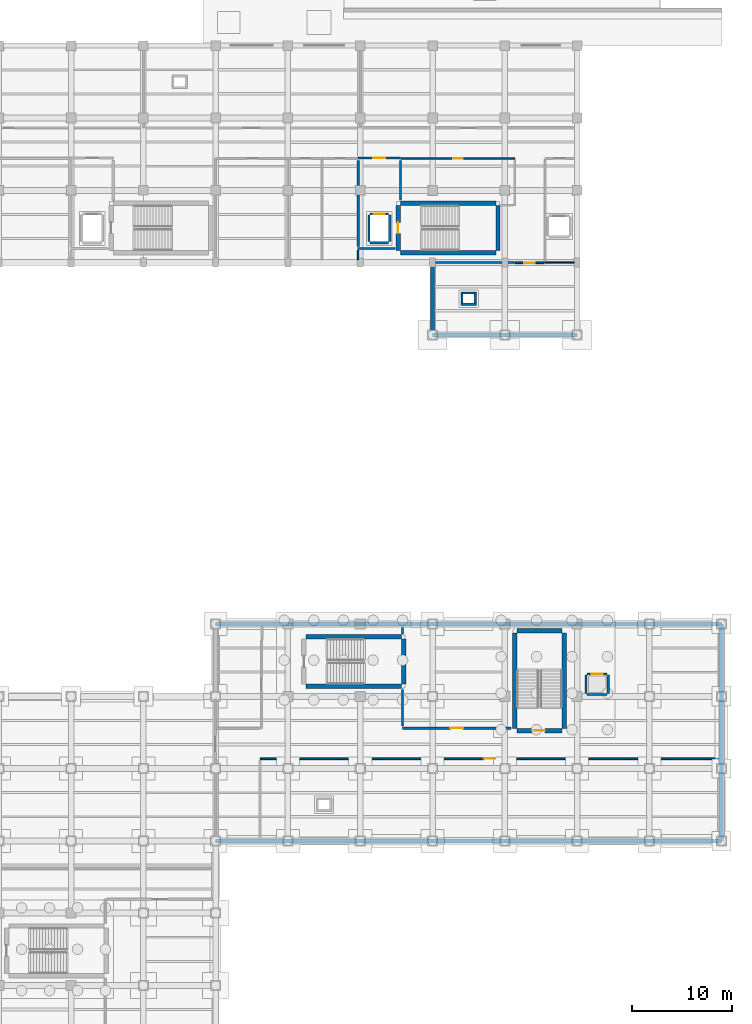
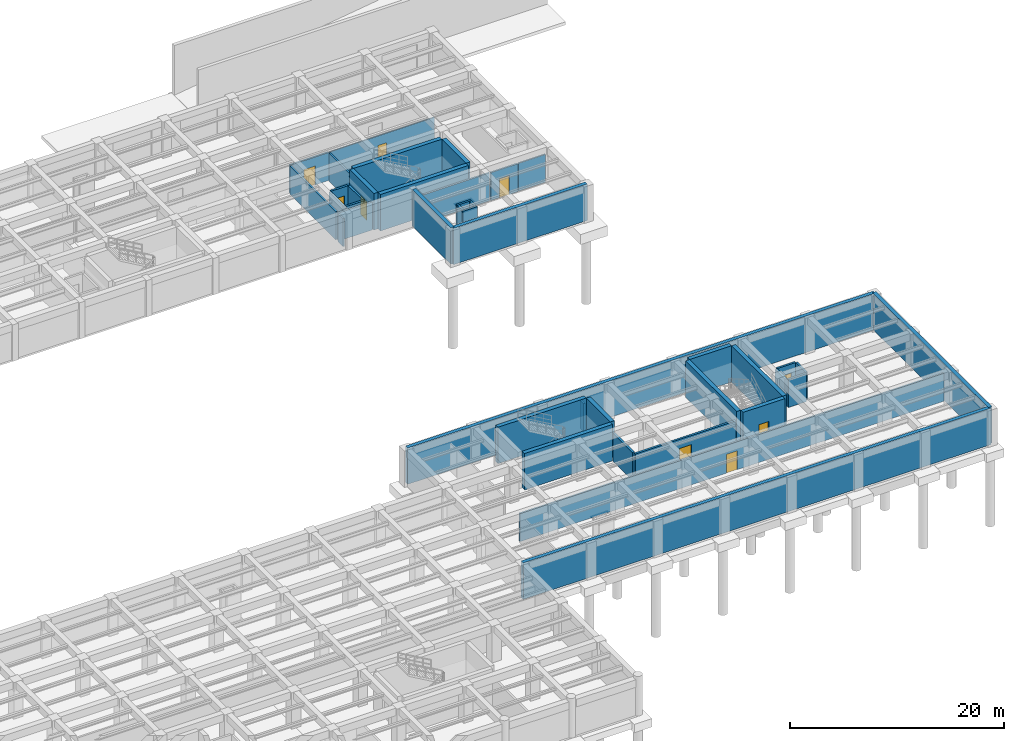
# One storey, part 21 of 34: 41 walls, 9 doors, 9 openings.
"""IFC4 building model written with IfcOpenShell, lengths in metres."""

from ifc_helpers import new_model, si_unit, direction, frame, frame_2d, origin, place, context, subcontext, project, spatial, rectangle, extrude, material, layer, layer_set, type_object, element, fill, save


model = new_model("IFC4")

# Units and contexts
model_context = context("Model", 3, precision=1e-05, world=origin(), true_north=direction((0.0, 1.0)))
body_context = subcontext(model_context, "Body", "Model", "MODEL_VIEW")
ifc_project = project(units=[si_unit("LENGTHUNIT", "METRE"), si_unit("AREAUNIT", "SQUARE_METRE"), si_unit("VOLUMEUNIT", "CUBIC_METRE"), si_unit("PLANEANGLEUNIT", "RADIAN"), si_unit("MASSUNIT", "GRAM", prefix="KILO")], contexts=[model_context])

# Site, building, storey
site_placement = place(None, origin())
site = spatial("IfcSite", under=ifc_project, at=site_placement, CompositionType="ELEMENT")
building_placement = place(site_placement, origin())
building = spatial("IfcBuilding", under=site, at=building_placement, Name="Solenvale Faculty of Natural Sciences", CompositionType="ELEMENT")
storey_placement = place(building_placement, frame((0.0, 0.0, -4.5)))
storey = spatial("IfcBuildingStorey", under=building, at=storey_placement, Name="B01", CompositionType="ELEMENT", Elevation=-4.5)

# Wall, opening, door
ifc_material_1 = material(Name="Gypsum fire-rated shaftwall")
ifc_layer_1 = layer(ifc_material_1, 0.205078125)
ifc_layer_set_1 = layer_set([ifc_layer_1], Name="Gypsum fire-rated shaftwall")
wall_type_1 = type_object("IfcWallType", Name="WL-FFL-205", PredefinedType="PARTITIONING", material=ifc_layer_set_1)
wall_1_placement = place(storey_placement, frame((129.39990234375, 104.0, 0.0), z_axis=(0.0, 0.0, 1.0), x_axis=(1.0, 0.0, 0.0)))
wall_1 = element("IfcWall", 1, at=wall_1_placement, inside=storey, type_object=wall_type_1, Name="B01 Firefighting Lobby C5 Partition 1", PredefinedType="PARTITIONING", context=body_context, shape_type="SweptSolid", body=[
    extrude(rectangle(XDim=4.2001953125, YDim=0.205078125, at=frame_2d((2.10009765625, 0.0))), origin(), (0.0, 0.0, 1.0), 3.18994140625),
])
opening_1_placement = place(wall_1_placement, frame((1.5, 0.0, 0.0)))
opening_1 = element("IfcOpeningElement", 2, at=opening_1_placement, cuts=wall_1, Name="Opening D-B01-02", PredefinedType="OPENING", context=body_context, shape_type="SweptSolid", body=[
    extrude(rectangle(XDim=1.199951171875, YDim=2.14990234375, at=frame_2d((0.60009765625, 1.074951171875))), frame((0.0, 0.112548828125, 0.0), z_axis=(0.0, -1.0, 0.0), x_axis=(1.0, 0.0, 0.0)), (0.0, 0.0, 1.0), 0.22509765625),
])
ifc_material_2 = material(Name="Galvanised steel S355", Category="steel")
door_type_1 = type_object("IfcDoorType", Name="DR-FFL-1200x2150", OperationType="NOTDEFINED", PredefinedType="DOOR", material=ifc_material_2)
door_1_placement = place(opening_1_placement, origin())
door_1 = element("IfcDoor", 3, at=door_1_placement, inside=storey, type_object=door_type_1, Name="B01 Firefighting Lobby C5 Door", OperationType="SINGLE_SWING_RIGHT", OverallHeight=2.14990234375, OverallWidth=1.199951171875, PredefinedType="DOOR", context=body_context, shape_type="SweptSolid", body=[
    extrude(rectangle(XDim=1.199951171875, YDim=2.14990234375, at=frame_2d((0.60009765625, 1.074951171875))), frame((0.0, 0.02490234375, 0.0), z_axis=(0.0, -1.0, 0.0), x_axis=(1.0, 0.0, 0.0)), (0.0, 0.0, 1.0), 0.050048828125),
])
fill(opening_1, door_1)

# Walls
wall_2_placement = place(storey_placement, frame((133.60009765625, 103.782958984375, 0.0), z_axis=(0.0, 0.0, 1.0), x_axis=(0.0, -1.0, 0.0)))
element("IfcWall", 4, at=wall_2_placement, inside=storey, type_object=wall_type_1, Name="B01 Firefighting Lobby C5 Partition 2", PredefinedType="PARTITIONING", context=body_context, shape_type="SweptSolid", body=[
    extrude(rectangle(XDim=3.927978515625, YDim=0.205078125, at=frame_2d((1.9638671875, 0.0))), origin(), (0.0, 0.0, 1.0), 3.18994140625),
])
wall_3_placement = place(storey_placement, frame((133.0458984375, 95.0, 0.0), z_axis=(0.0, 0.0, 1.0), x_axis=(-1.0, 0.0, 0.0)))
element("IfcWall", 5, at=wall_3_placement, inside=storey, type_object=wall_type_1, Name="B01 Firefighting Lobby C5 Partition 20", PredefinedType="PARTITIONING", context=body_context, shape_type="SweptSolid", body=[
    extrude(rectangle(XDim=3.64599609375, YDim=0.205078125, at=frame_2d((1.822998046875, 0.0))), origin(), (0.0, 0.0, 1.0), 3.18994140625),
])
wall_4_placement = place(storey_placement, frame((129.39990234375, 95.217041015625, 0.0), z_axis=(0.0, 0.0, 1.0), x_axis=(0.0, 1.0, 0.0)))
element("IfcWall", 6, at=wall_4_placement, inside=storey, type_object=wall_type_1, Name="B01 Firefighting Lobby C5 Partition 21", PredefinedType="PARTITIONING", context=body_context, shape_type="SweptSolid", body=[
    extrude(rectangle(XDim=8.56591796875, YDim=0.205078125, at=frame_2d((4.282958984375, 0.0))), origin(), (0.0, 0.0, 1.0), 3.18994140625),
])

# Wall, opening, door
ifc_material_3 = material(Name="Gypsum fire-rated laboratory partition")
ifc_layer_2 = layer(ifc_material_3, 0.22802734375)
ifc_layer_set_2 = layer_set([ifc_layer_2], Name="Gypsum fire-rated laboratory partition")
wall_type_2 = type_object("IfcWallType", Name="WL-LAB-228", PredefinedType="PARTITIONING", material=ifc_layer_set_2)
wall_5_placement = place(storey_placement, frame((144.634033203125, 47.219970703125, 0.0), z_axis=(0.0, 0.0, 1.0), x_axis=(-1.0, 0.0, 0.0)))
wall_5 = element("IfcWall", 7, at=wall_5_placement, inside=storey, type_object=wall_type_2, Name="B01 Natural History Herbarium Laboratory Partition 7", PredefinedType="PARTITIONING", context=body_context, shape_type="SweptSolid", body=[
    extrude(rectangle(XDim=10.833984375, YDim=0.22802734375, at=frame_2d((5.4169921875, 0.0))), origin(), (0.0, 0.0, 1.0), 3.18994140625),
])
opening_2_placement = place(wall_5_placement, frame((4.777099609375, 0.0, 0.0)))
opening_2 = element("IfcOpeningElement", 8, at=opening_2_placement, cuts=wall_5, Name="Opening D-B01-10", PredefinedType="OPENING", context=body_context, shape_type="SweptSolid", body=[
    extrude(rectangle(XDim=1.280029296875, YDim=2.14990234375, at=frame_2d((0.64013671875, 1.074951171875))), frame((0.0, 0.1240234375, 0.0), z_axis=(0.0, -1.0, 0.0), x_axis=(1.0, 0.0, 0.0)), (0.0, 0.0, 1.0), 0.248046875),
])
ifc_material_4 = material(Name="Oak acoustic timber leaf", Category="wood")
door_type_2 = type_object("IfcDoorType", Name="DR-LAB-1280x2150", OperationType="NOTDEFINED", PredefinedType="DOOR", material=ifc_material_4)
door_2_placement = place(opening_2_placement, origin())
door_2 = element("IfcDoor", 9, at=door_2_placement, inside=storey, type_object=door_type_2, Name="B01 Natural History Herbarium Laboratory Door", OperationType="SINGLE_SWING_RIGHT", OverallHeight=2.14990234375, OverallWidth=1.280029296875, PredefinedType="DOOR", context=body_context, shape_type="SweptSolid", body=[
    extrude(rectangle(XDim=1.280029296875, YDim=2.14990234375, at=frame_2d((0.64013671875, 1.074951171875))), frame((0.0, 0.02490234375, 0.0), z_axis=(0.0, -1.0, 0.0), x_axis=(1.0, 0.0, 0.0)), (0.0, 0.0, 1.0), 0.050048828125),
])
fill(opening_2, door_2)

# Walls
wall_6_placement = place(storey_placement, frame((133.800048828125, 47.4599609375, 0.0), z_axis=(0.0, 0.0, 1.0), x_axis=(0.0, 1.0, 0.0)))
element("IfcWall", 10, at=wall_6_placement, inside=storey, type_object=wall_type_2, Name="B01 Natural History Herbarium Laboratory Partition 8", PredefinedType="PARTITIONING", context=body_context, shape_type="SweptSolid", body=[
    extrude(rectangle(XDim=3.6240234375, YDim=0.22802734375, at=frame_2d((1.81201171875, 0.0))), origin(), (0.0, 0.0, 1.0), 3.18994140625),
])
wall_7_placement = place(storey_placement, frame((133.800048828125, 56.615966796875, 0.0), z_axis=(0.0, 0.0, 1.0), x_axis=(0.0, 1.0, 0.0)))
element("IfcWall", 11, at=wall_7_placement, inside=storey, type_object=wall_type_2, Name="B01 Natural History Herbarium Laboratory Partition 34", PredefinedType="PARTITIONING", context=body_context, shape_type="SweptSolid", body=[
    extrude(rectangle(XDim=0.657958984375, YDim=0.22802734375, at=frame_2d((0.3291015625, 0.0))), origin(), (0.0, 0.0, 1.0), 3.18994140625),
])

# Wall, opening, door
ifc_material_5 = material(Name="Acoustic stud gypsum partition")
ifc_layer_3 = layer(ifc_material_5, 0.125)
ifc_layer_set_3 = layer_set([ifc_layer_3], Name="Acoustic stud gypsum partition")
wall_type_3 = type_object("IfcWallType", Name="WL-OFF-125", PredefinedType="PARTITIONING", material=ifc_layer_set_3)
wall_8_placement = place(storey_placement, frame((133.674072265625, 103.97998046875, 0.0), z_axis=(0.0, 0.0, 1.0), x_axis=(1.0, 0.0, 0.0)))
wall_8 = element("IfcWall", 12, at=wall_8_placement, inside=storey, type_object=wall_type_3, Name="B01 Building Electrical and Telecom Closet Partition 18", PredefinedType="PARTITIONING", context=body_context, shape_type="SweptSolid", body=[
    extrude(rectangle(XDim=11.305908203125, YDim=0.125, at=frame_2d((5.65283203125, 0.0))), origin(), (0.0, 0.0, 1.0), 3.18994140625),
])
opening_3_placement = place(wall_8_placement, frame((5.18310546875, 0.0, 0.0)))
opening_3 = element("IfcOpeningElement", 13, at=opening_3_placement, cuts=wall_8, Name="Opening D-B01-20", PredefinedType="OPENING", context=body_context, shape_type="SweptSolid", body=[
    extrude(rectangle(XDim=0.93994140625, YDim=2.10009765625, at=frame_2d((0.469970703125, 1.050048828125))), frame((0.0, 0.072509765625, 0.0), z_axis=(0.0, -1.0, 0.0), x_axis=(1.0, 0.0, 0.0)), (0.0, 0.0, 1.0), 0.14501953125),
])
door_type_3 = type_object("IfcDoorType", Name="DR-OFF-0940x2100", OperationType="NOTDEFINED", PredefinedType="DOOR", material=ifc_material_4)
door_3_placement = place(opening_3_placement, origin())
door_3 = element("IfcDoor", 14, at=door_3_placement, inside=storey, type_object=door_type_3, Name="B01 Building Electrical and Telecom Closet Door", OperationType="SINGLE_SWING_RIGHT", OverallHeight=2.10009765625, OverallWidth=0.93994140625, PredefinedType="DOOR", context=body_context, shape_type="SweptSolid", body=[
    extrude(rectangle(XDim=0.93994140625, YDim=2.10009765625, at=frame_2d((0.469970703125, 1.050048828125))), frame((0.0, 0.02490234375, 0.0), z_axis=(0.0, -1.0, 0.0), x_axis=(1.0, 0.0, 0.0)), (0.0, 0.0, 1.0), 0.050048828125),
])
fill(opening_3, door_3)

# Walls
ifc_layer_4 = layer(ifc_material_5, 0.132080078125)
ifc_layer_set_4 = layer_set([ifc_layer_4], Name="Acoustic stud gypsum partition")
wall_type_4 = type_object("IfcWallType", Name="WL-OFF-132", PredefinedType="PARTITIONING", material=ifc_layer_set_4)
wall_9_placement = place(storey_placement, frame((150.922119140625, 93.60009765625, 0.0), z_axis=(0.0, 0.0, 1.0), x_axis=(-1.0, 0.0, 0.0)))
element("IfcWall", 15, at=wall_9_placement, inside=storey, type_object=wall_type_4, Name="B01 Elevator Lobby Partition 3", PredefinedType="PARTITIONING", context=body_context, shape_type="SweptSolid", body=[
    extrude(rectangle(XDim=2.902099609375, YDim=0.132080078125, at=frame_2d((1.451171875, 0.0))), origin(), (0.0, 0.0, 1.0), 3.18994140625),
])
ifc_material_6 = material(Name="Concrete 40 MPa", Category="concrete")
ifc_layer_5 = layer(ifc_material_6, 0.39990234375)
ifc_layer_set_5 = layer_set([ifc_layer_5], Name="Concrete 40 MPa")
wall_type_5 = type_object("IfcWallType", Name="WL-RET-400", PredefinedType="SOLIDWALL", material=ifc_layer_set_5)
wall_10_placement = place(storey_placement, frame((151.199951171875, 86.39990234375, 0.0), z_axis=(0.0, 0.0, 1.0), x_axis=(-1.0, 0.0, 0.0)))
element("IfcWall", 16, at=wall_10_placement, inside=storey, type_object=wall_type_5, Name="B01 Escarpment Retaining Wall 9", PredefinedType="SOLIDWALL", context=body_context, shape_type="SweptSolid", body=[
    extrude(rectangle(XDim=14.39990234375, YDim=0.39990234375, at=frame_2d((7.199951171875, 0.0))), origin(), (0.0, 0.0, 1.0), 4.14990234375),
])
wall_11_placement = place(storey_placement, frame((136.800048828125, 86.39990234375, 0.0), z_axis=(0.0, 0.0, 1.0), x_axis=(0.0, 1.0, 0.0)))
element("IfcWall", 17, at=wall_11_placement, inside=storey, type_object=wall_type_5, Name="B01 Escarpment Retaining Wall 10", PredefinedType="SOLIDWALL", context=body_context, shape_type="SweptSolid", body=[
    extrude(rectangle(XDim=7.2001953125, YDim=0.39990234375, at=frame_2d((3.60009765625, 0.0))), origin(), (0.0, 0.0, 1.0), 4.14990234375),
])
wall_12_placement = place(storey_placement, frame((115.199951171875, 57.60009765625, 0.0), z_axis=(0.0, 0.0, 1.0), x_axis=(1.0, 0.0, 0.0)))
element("IfcWall", 18, at=wall_12_placement, inside=storey, type_object=wall_type_5, Name="B01 Escarpment Retaining Wall 15", PredefinedType="SOLIDWALL", context=body_context, shape_type="SweptSolid", body=[
    extrude(rectangle(XDim=50.400146484375, YDim=0.39990234375, at=frame_2d((25.2001953125, 0.0))), origin(), (0.0, 0.0, 1.0), 4.14990234375),
])
wall_13_placement = place(storey_placement, frame((165.60009765625, 57.60009765625, 0.0), z_axis=(0.0, 0.0, 1.0), x_axis=(0.0, -1.0, 0.0)))
element("IfcWall", 19, at=wall_13_placement, inside=storey, type_object=wall_type_5, Name="B01 Escarpment Retaining Wall 16", PredefinedType="SOLIDWALL", context=body_context, shape_type="SweptSolid", body=[
    extrude(rectangle(XDim=21.60009765625, YDim=0.39990234375, at=frame_2d((10.800048828125, 0.0))), origin(), (0.0, 0.0, 1.0), 4.14990234375),
])
wall_14_placement = place(storey_placement, frame((165.60009765625, 36.0, 0.0), z_axis=(0.0, 0.0, 1.0), x_axis=(-1.0, 0.0, 0.0)))
element("IfcWall", 20, at=wall_14_placement, inside=storey, type_object=wall_type_5, Name="B01 Escarpment Retaining Wall 17", PredefinedType="SOLIDWALL", context=body_context, shape_type="SweptSolid", body=[
    extrude(rectangle(XDim=50.400146484375, YDim=0.39990234375, at=frame_2d((25.2001953125, 0.0))), origin(), (0.0, 0.0, 1.0), 4.14990234375),
])

# Wall, opening, door
ifc_material_7 = material(Name="Acoustic double-stud gypsum partition")
ifc_layer_6 = layer(ifc_material_7, 0.169921875)
ifc_layer_set_6 = layer_set([ifc_layer_6], Name="Acoustic double-stud gypsum partition")
wall_type_6 = type_object("IfcWallType", Name="WL-SEM-170", PredefinedType="PARTITIONING", material=ifc_layer_set_6)
wall_15_placement = place(storey_placement, frame((119.6201171875, 44.179931640625, 0.0), z_axis=(0.0, 0.0, 1.0), x_axis=(1.0, 0.0, 0.0)))
wall_15 = element("IfcWall", 21, at=wall_15_placement, inside=storey, type_object=wall_type_6, Name="B01 Science Library Reference Reading Hall Partition 1", PredefinedType="PARTITIONING", context=body_context, shape_type="SweptSolid", body=[
    extrude(rectangle(XDim=45.682861328125, YDim=0.169921875, at=frame_2d((22.84130859375, 0.0))), origin(), (0.0, 0.0, 1.0), 3.18994140625),
])
opening_4_placement = place(wall_15_placement, frame((22.26611328125, 0.0, 0.0)))
opening_4 = element("IfcOpeningElement", 22, at=opening_4_placement, cuts=wall_15, Name="Opening D-B01-09", PredefinedType="OPENING", context=body_context, shape_type="SweptSolid", body=[
    extrude(rectangle(XDim=1.14990234375, YDim=2.14990234375, at=frame_2d((0.574951171875, 1.074951171875))), frame((0.0, 0.094970703125, 0.0), z_axis=(0.0, -1.0, 0.0), x_axis=(1.0, 0.0, 0.0)), (0.0, 0.0, 1.0), 0.18994140625),
])
door_type_4 = type_object("IfcDoorType", Name="DR-SEM-1150x2150", OperationType="NOTDEFINED", PredefinedType="DOOR", material=ifc_material_4)
door_4_placement = place(opening_4_placement, origin())
door_4 = element("IfcDoor", 23, at=door_4_placement, inside=storey, type_object=door_type_4, Name="B01 Science Library Reference Reading Hall Door", OperationType="SINGLE_SWING_LEFT", OverallHeight=2.14990234375, OverallWidth=1.14990234375, PredefinedType="DOOR", context=body_context, shape_type="SweptSolid", body=[
    extrude(rectangle(XDim=1.14990234375, YDim=2.14990234375, at=frame_2d((0.574951171875, 1.074951171875))), frame((0.0, 0.02490234375, 0.0), z_axis=(0.0, -1.0, 0.0), x_axis=(1.0, 0.0, 0.0)), (0.0, 0.0, 1.0), 0.050048828125),
])
fill(opening_4, door_4)

ifc_layer_7 = layer(ifc_material_7, 0.179931640625)
ifc_layer_set_7 = layer_set([ifc_layer_7], Name="Acoustic double-stud gypsum partition")
wall_type_7 = type_object("IfcWallType", Name="WL-SEM-180", PredefinedType="PARTITIONING", material=ifc_layer_set_7)
wall_16_placement = place(storey_placement, frame((145.0, 93.580078125, 0.0), z_axis=(0.0, 0.0, 1.0), x_axis=(1.0, 0.0, 0.0)))
wall_16 = element("IfcWall", 24, at=wall_16_placement, inside=storey, type_object=wall_type_7, Name="B01 Seminar Room Partition 16", PredefinedType="PARTITIONING", context=body_context, shape_type="SweptSolid", body=[
    extrude(rectangle(XDim=2.91796875, YDim=0.179931640625, at=frame_2d((1.458984375, 0.0))), origin(), (0.0, 0.0, 1.0), 3.18994140625),
])
opening_5_placement = place(wall_16_placement, frame((0.9189453125, 0.0, 0.0)))
opening_5 = element("IfcOpeningElement", 25, at=opening_5_placement, cuts=wall_16, Name="Opening D-B01-22", PredefinedType="OPENING", context=body_context, shape_type="SweptSolid", body=[
    extrude(rectangle(XDim=1.080078125, YDim=2.14990234375, at=frame_2d((0.5400390625, 1.074951171875))), frame((0.0, 0.099853515625, 0.0), z_axis=(0.0, -1.0, 0.0), x_axis=(1.0, 0.0, 0.0)), (0.0, 0.0, 1.0), 0.199951171875),
])
door_type_5 = type_object("IfcDoorType", Name="DR-SEM-1080x2150", OperationType="NOTDEFINED", PredefinedType="DOOR", material=ifc_material_4)
door_5_placement = place(opening_5_placement, origin())
door_5 = element("IfcDoor", 26, at=door_5_placement, inside=storey, type_object=door_type_5, Name="B01 Seminar Room Door", OperationType="SINGLE_SWING_RIGHT", OverallHeight=2.14990234375, OverallWidth=1.080078125, PredefinedType="DOOR", context=body_context, shape_type="SweptSolid", body=[
    extrude(rectangle(XDim=1.080078125, YDim=2.14990234375, at=frame_2d((0.5400390625, 1.074951171875))), frame((0.0, 0.02490234375, 0.0), z_axis=(0.0, -1.0, 0.0), x_axis=(1.0, 0.0, 0.0)), (0.0, 0.0, 1.0), 0.050048828125),
])
fill(opening_5, door_5)

# Walls
wall_17_placement = place(storey_placement, frame((137.10205078125, 93.60009765625, 0.0), z_axis=(0.0, 0.0, 1.0), x_axis=(1.0, 0.0, 0.0)))
element("IfcWall", 27, at=wall_17_placement, inside=storey, type_object=wall_type_7, Name="B01 Seminar Room Partition 33", PredefinedType="PARTITIONING", context=body_context, shape_type="SweptSolid", body=[
    extrude(rectangle(XDim=7.7958984375, YDim=0.179931640625, at=frame_2d((3.89794921875, 0.0))), origin(), (0.0, 0.0, 1.0), 3.18994140625),
])
ifc_layer_8 = layer(ifc_material_6, 0.219970703125)
ifc_layer_set_8 = layer_set([ifc_layer_8], Name="Concrete 40 MPa")
wall_type_8 = type_object("IfcWallType", Name="WL-SHF-220", PredefinedType="STANDARD", material=ifc_layer_set_8)
wall_18_placement = place(storey_placement, frame((152.205078125, 50.570068359375, 0.0), z_axis=(0.0, 0.0, 1.0), x_axis=(1.0, 0.0, 0.0)))
element("IfcWall", 28, at=wall_18_placement, inside=storey, type_object=wall_type_8, Name="Elevator LP-02 B01 Shaft Wall S", PredefinedType="STANDARD", context=body_context, shape_type="SweptSolid", body=[
    extrude(rectangle(XDim=1.989990234375, YDim=0.219970703125, at=frame_2d((0.9951171875, 0.0))), origin(), (0.0, 0.0, 1.0), 3.18994140625),
])

# Wall, opening, door
wall_19_placement = place(storey_placement, frame((152.205078125, 52.6298828125, 0.0), z_axis=(0.0, 0.0, 1.0), x_axis=(1.0, 0.0, 0.0)))
wall_19 = element("IfcWall", 29, at=wall_19_placement, inside=storey, type_object=wall_type_8, Name="Elevator LP-02 B01 Shaft Wall N", PredefinedType="STANDARD", context=body_context, shape_type="SweptSolid", body=[
    extrude(rectangle(XDim=1.989990234375, YDim=0.219970703125, at=frame_2d((0.9951171875, 0.0))), origin(), (0.0, 0.0, 1.0), 3.18994140625),
])
opening_6_placement = place(wall_19_placement, frame((0.445068359375, 0.0, 0.0)))
opening_6 = element("IfcOpeningElement", 30, at=opening_6_placement, cuts=wall_19, Name="Opening LD-LP-02-B01", PredefinedType="OPENING", context=body_context, shape_type="SweptSolid", body=[
    extrude(rectangle(XDim=1.10009765625, YDim=2.14990234375, at=frame_2d((0.550048828125, 1.074951171875))), frame((0.0, 0.119873046875, 0.0), z_axis=(0.0, -1.0, 0.0), x_axis=(1.0, 0.0, 0.0)), (0.0, 0.0, 1.0), 0.239990234375),
])
ifc_material_8 = material(Name="Stainless steel Grade 304", Category="steel")
door_type_6 = type_object("IfcDoorType", Name="DR-LIFT-1100x2150", OperationType="NOTDEFINED", PredefinedType="DOOR", material=ifc_material_8)
door_6_placement = place(opening_6_placement, origin())
door_6 = element("IfcDoor", 31, at=door_6_placement, inside=storey, type_object=door_type_6, Name="Elevator LP-02 B01 Sliding Landing Door", OperationType="SLIDING_TO_LEFT", OverallHeight=2.14990234375, OverallWidth=1.10009765625, PredefinedType="DOOR", context=body_context, shape_type="SweptSolid", body=[
    extrude(rectangle(XDim=1.10009765625, YDim=2.14990234375, at=frame_2d((0.550048828125, 1.074951171875))), frame((0.0, 0.02490234375, 0.0), z_axis=(0.0, -1.0, 0.0), x_axis=(1.0, 0.0, 0.0)), (0.0, 0.0, 1.0), 0.050048828125),
])
fill(opening_6, door_6)

# Walls
for number, where, z_axis, x_axis, name in (
    (32, (152.094970703125, 50.679931640625, 0.0), (0.0, 0.0, 1.0), (0.0, 1.0, 0.0), "Elevator LP-02 B01 Shaft Wall W"),
    (33, (154.304931640625, 50.679931640625, 0.0), (0.0, 0.0, 1.0), (0.0, 1.0, 0.0), "Elevator LP-02 B01 Shaft Wall E"),
):
    element("IfcWall", number, at=place(storey_placement, frame(where, z_axis=z_axis, x_axis=x_axis)), inside=storey, type_object=wall_type_8, Name=name, PredefinedType="STANDARD", context=body_context, shape_type="SweptSolid", body=[
        extrude(rectangle(XDim=1.840087890625, YDim=0.219970703125, at=frame_2d((0.919921875, 0.0))), origin(), (0.0, 0.0, 1.0), 3.18994140625),
    ])
wall_20_placement = place(storey_placement, frame((130.580078125, 95.570068359375, 0.0), z_axis=(0.0, 0.0, 1.0), x_axis=(1.0, 0.0, 0.0)))
element("IfcWall", 34, at=wall_20_placement, inside=storey, type_object=wall_type_8, Name="Elevator LF-02 B01 Shaft Wall S", PredefinedType="STANDARD", context=body_context, shape_type="SweptSolid", body=[
    extrude(rectangle(XDim=1.83984375, YDim=0.219970703125, at=frame_2d((0.919921875, 0.0))), origin(), (0.0, 0.0, 1.0), 3.18994140625),
])

# Wall, opening, door
wall_21_placement = place(storey_placement, frame((130.580078125, 98.429931640625, 0.0), z_axis=(0.0, 0.0, 1.0), x_axis=(1.0, 0.0, 0.0)))
wall_21 = element("IfcWall", 35, at=wall_21_placement, inside=storey, type_object=wall_type_8, Name="Elevator LF-02 B01 Shaft Wall N", PredefinedType="STANDARD", context=body_context, shape_type="SweptSolid", body=[
    extrude(rectangle(XDim=1.83984375, YDim=0.219970703125, at=frame_2d((0.919921875, 0.0))), origin(), (0.0, 0.0, 1.0), 3.18994140625),
])
opening_7_placement = place(wall_21_placement, frame((0.3701171875, 0.0, 0.0)))
opening_7 = element("IfcOpeningElement", 36, at=opening_7_placement, cuts=wall_21, Name="Opening LD-LF-02-B01", PredefinedType="OPENING", context=body_context, shape_type="SweptSolid", body=[
    extrude(rectangle(XDim=1.10009765625, YDim=2.14990234375, at=frame_2d((0.550048828125, 1.074951171875))), frame((0.0, 0.119873046875, 0.0), z_axis=(0.0, -1.0, 0.0), x_axis=(1.0, 0.0, 0.0)), (0.0, 0.0, 1.0), 0.239990234375),
])
door_7_placement = place(opening_7_placement, origin())
door_7 = element("IfcDoor", 37, at=door_7_placement, inside=storey, type_object=door_type_6, Name="Elevator LF-02 B01 Sliding Landing Door", OperationType="SLIDING_TO_RIGHT", OverallHeight=2.14990234375, OverallWidth=1.10009765625, PredefinedType="DOOR", context=body_context, shape_type="SweptSolid", body=[
    extrude(rectangle(XDim=1.10009765625, YDim=2.14990234375, at=frame_2d((0.550048828125, 1.074951171875))), frame((0.0, 0.02490234375, 0.0), z_axis=(0.0, -1.0, 0.0), x_axis=(1.0, 0.0, 0.0)), (0.0, 0.0, 1.0), 0.050048828125),
])
fill(opening_7, door_7)

# Walls
for number, where, z_axis, x_axis, name in (
    (38, (130.469970703125, 95.679931640625, 0.0), (0.0, 0.0, 1.0), (0.0, 1.0, 0.0), "Elevator LF-02 B01 Shaft Wall W"),
    (39, (132.530029296875, 95.679931640625, 0.0), (0.0, 0.0, 1.0), (0.0, 1.0, 0.0), "Elevator LF-02 B01 Shaft Wall E"),
):
    element("IfcWall", number, at=place(storey_placement, frame(where, z_axis=z_axis, x_axis=x_axis)), inside=storey, type_object=wall_type_8, Name=name, PredefinedType="STANDARD", context=body_context, shape_type="SweptSolid", body=[
        extrude(rectangle(XDim=2.64013671875, YDim=0.219970703125, at=frame_2d((1.320068359375, 0.0))), origin(), (0.0, 0.0, 1.0), 3.18994140625),
    ])
for number, where, z_axis, x_axis, name in (
    (40, (139.6298828125, 89.43994140625, 0.0), (0.0, 0.0, 1.0), (1.0, 0.0, 0.0), "B01 Service Riser Shaft 9 Wall S"),
    (41, (139.6298828125, 90.56005859375, 0.0), (0.0, 0.0, 1.0), (1.0, 0.0, 0.0), "B01 Service Riser Shaft 9 Wall N"),
):
    element("IfcWall", number, at=place(storey_placement, frame(where, z_axis=z_axis, x_axis=x_axis)), inside=storey, type_object=wall_type_8, Name=name, PredefinedType="STANDARD", context=body_context, shape_type="SweptSolid", body=[
        extrude(rectangle(XDim=1.5400390625, YDim=0.219970703125, at=frame_2d((0.77001953125, 0.0))), origin(), (0.0, 0.0, 1.0), 3.18994140625),
    ])
for number, where, z_axis, x_axis, name in (
    (42, (139.739990234375, 89.550048828125, 0.0), (0.0, 0.0, 1.0), (0.0, 1.0, 0.0), "B01 Service Riser Shaft 9 Wall W"),
    (43, (141.06005859375, 89.550048828125, 0.0), (0.0, 0.0, 1.0), (0.0, 1.0, 0.0), "B01 Service Riser Shaft 9 Wall E"),
):
    element("IfcWall", number, at=place(storey_placement, frame(where, z_axis=z_axis, x_axis=x_axis)), inside=storey, type_object=wall_type_8, Name=name, PredefinedType="STANDARD", context=body_context, shape_type="SweptSolid", body=[
        extrude(rectangle(XDim=0.89990234375, YDim=0.219970703125, at=frame_2d((0.449951171875, 0.0))), origin(), (0.0, 0.0, 1.0), 3.18994140625),
    ])

# Wall, opening, door
ifc_material_9 = material(Name="Concrete 50 MPa", Category="concrete")
ifc_layer_9 = layer(ifc_material_9, 0.43994140625)
ifc_layer_set_9 = layer_set([ifc_layer_9], Name="Concrete 50 MPa")
wall_type_9 = type_object("IfcWallType", Name="WL-SHR-440", PredefinedType="SHEAR", material=ifc_layer_set_9)
wall_22_placement = place(storey_placement, frame((145.199951171875, 46.97998046875, 0.0), z_axis=(0.0, 0.0, 1.0), x_axis=(1.0, 0.0, 0.0)))
wall_22 = element("IfcWall", 44, at=wall_22_placement, inside=storey, type_object=wall_type_9, Name="Core C2 B01 Shear Wall S", PredefinedType="SHEAR", context=body_context, shape_type="SweptSolid", body=[
    extrude(rectangle(XDim=4.5, YDim=0.43994140625, at=frame_2d((2.25, 0.0))), origin(), (0.0, 0.0, 1.0), 4.14990234375),
])
opening_8_placement = place(wall_22_placement, frame((1.699951171875, 0.0, 0.0)))
opening_8 = element("IfcOpeningElement", 45, at=opening_8_placement, cuts=wall_22, Name="Opening DS-C2-B01", PredefinedType="OPENING", context=body_context, shape_type="SweptSolid", body=[
    extrude(rectangle(XDim=1.10009765625, YDim=2.14990234375, at=frame_2d((0.550048828125, 1.074951171875))), frame((0.0, 0.22998046875, 0.0), z_axis=(0.0, -1.0, 0.0), x_axis=(1.0, 0.0, 0.0)), (0.0, 0.0, 1.0), 0.4599609375),
])
door_type_7 = type_object("IfcDoorType", Name="DR-STAIR-1100x2150", OperationType="NOTDEFINED", PredefinedType="DOOR", material=ifc_material_2)
door_8_placement = place(opening_8_placement, origin())
door_8 = element("IfcDoor", 46, at=door_8_placement, inside=storey, type_object=door_type_7, Name="B01 Stair ST-02 Fire Door", OperationType="SINGLE_SWING_LEFT", OverallHeight=2.14990234375, OverallWidth=1.10009765625, PredefinedType="DOOR", context=body_context, shape_type="SweptSolid", body=[
    extrude(rectangle(XDim=1.10009765625, YDim=2.14990234375, at=frame_2d((0.550048828125, 1.074951171875))), frame((0.0, 0.02490234375, 0.0), z_axis=(0.0, -1.0, 0.0), x_axis=(1.0, 0.0, 0.0)), (0.0, 0.0, 1.0), 0.050048828125),
])
fill(opening_8, door_8)

# Walls
wall_23_placement = place(storey_placement, frame((145.199951171875, 56.919921875, 0.0), z_axis=(0.0, 0.0, 1.0), x_axis=(1.0, 0.0, 0.0)))
element("IfcWall", 47, at=wall_23_placement, inside=storey, type_object=wall_type_9, Name="Core C2 B01 Shear Wall N", PredefinedType="SHEAR", context=body_context, shape_type="SweptSolid", body=[
    extrude(rectangle(XDim=4.5, YDim=0.43994140625, at=frame_2d((2.25, 0.0))), origin(), (0.0, 0.0, 1.0), 4.14990234375),
])
for number, where, z_axis, x_axis, name in (
    (48, (144.97998046875, 47.199951171875, 0.0), (0.0, 0.0, 1.0), (0.0, 1.0, 0.0), "Core C2 B01 Shear Wall W"),
    (49, (149.919921875, 47.199951171875, 0.0), (0.0, 0.0, 1.0), (0.0, 1.0, 0.0), "Core C2 B01 Shear Wall E"),
    (50, (124.199951171875, 51.3798828125, 0.0), (0.0, 0.0, 1.0), (1.0, 0.0, 0.0), "Core C2B B01 Shear Wall S"),
    (51, (124.199951171875, 56.320068359375, 0.0), (0.0, 0.0, 1.0), (1.0, 0.0, 0.0), "Core C2B B01 Shear Wall N"),
):
    element("IfcWall", number, at=place(storey_placement, frame(where, z_axis=z_axis, x_axis=x_axis)), inside=storey, type_object=wall_type_9, Name=name, PredefinedType="SHEAR", context=body_context, shape_type="SweptSolid", body=[
        extrude(rectangle(XDim=9.5, YDim=0.43994140625, at=frame_2d((4.75, 0.0))), origin(), (0.0, 0.0, 1.0), 4.14990234375),
    ])
wall_24_placement = place(storey_placement, frame((133.919921875, 51.60009765625, 0.0), z_axis=(0.0, 0.0, 1.0), x_axis=(0.0, 1.0, 0.0)))
element("IfcWall", 52, at=wall_24_placement, inside=storey, type_object=wall_type_9, Name="Core C2B B01 Shear Wall E", PredefinedType="SHEAR", context=body_context, shape_type="SweptSolid", body=[
    extrude(rectangle(XDim=4.5, YDim=0.43994140625, at=frame_2d((2.25, 0.0))), origin(), (0.0, 0.0, 1.0), 4.14990234375),
])
for number, where, z_axis, x_axis, name in (
    (53, (133.60009765625, 94.580078125, 0.0), (0.0, 0.0, 1.0), (1.0, 0.0, 0.0), "Core C5 B01 Shear Wall S"),
    (54, (133.60009765625, 99.52001953125, 0.0), (0.0, 0.0, 1.0), (1.0, 0.0, 0.0), "Core C5 B01 Shear Wall N"),
):
    element("IfcWall", number, at=place(storey_placement, frame(where, z_axis=z_axis, x_axis=x_axis)), inside=storey, type_object=wall_type_9, Name=name, PredefinedType="SHEAR", context=body_context, shape_type="SweptSolid", body=[
        extrude(rectangle(XDim=9.5, YDim=0.43994140625, at=frame_2d((4.75, 0.0))), origin(), (0.0, 0.0, 1.0), 4.14990234375),
    ])

# Wall, opening, door
wall_25_placement = place(storey_placement, frame((133.3798828125, 94.800048828125, 0.0), z_axis=(0.0, 0.0, 1.0), x_axis=(0.0, 1.0, 0.0)))
wall_25 = element("IfcWall", 55, at=wall_25_placement, inside=storey, type_object=wall_type_9, Name="Core C5 B01 Shear Wall W", PredefinedType="SHEAR", context=body_context, shape_type="SweptSolid", body=[
    extrude(rectangle(XDim=4.5, YDim=0.43994140625, at=frame_2d((2.25, 0.0))), origin(), (0.0, 0.0, 1.0), 4.14990234375),
])
opening_9_placement = place(wall_25_placement, frame((1.699951171875, 0.0, 0.0)))
opening_9 = element("IfcOpeningElement", 56, at=opening_9_placement, cuts=wall_25, Name="Opening DS-C5-B01", PredefinedType="OPENING", context=body_context, shape_type="SweptSolid", body=[
    extrude(rectangle(XDim=1.10009765625, YDim=2.14990234375, at=frame_2d((0.550048828125, 1.074951171875))), frame((0.0, 0.22998046875, 0.0), z_axis=(0.0, -1.0, 0.0), x_axis=(1.0, 0.0, 0.0)), (0.0, 0.0, 1.0), 0.4599609375),
])
door_9_placement = place(opening_9_placement, origin())
door_9 = element("IfcDoor", 57, at=door_9_placement, inside=storey, type_object=door_type_7, Name="B01 Stair ST-05 Fire Door", OperationType="SINGLE_SWING_RIGHT", OverallHeight=2.14990234375, OverallWidth=1.10009765625, PredefinedType="DOOR", context=body_context, shape_type="SweptSolid", body=[
    extrude(rectangle(XDim=1.10009765625, YDim=2.14990234375, at=frame_2d((0.550048828125, 1.074951171875))), frame((0.0, 0.02490234375, 0.0), z_axis=(0.0, -1.0, 0.0), x_axis=(1.0, 0.0, 0.0)), (0.0, 0.0, 1.0), 0.050048828125),
])
fill(opening_9, door_9)

# Walls
wall_26_placement = place(storey_placement, frame((143.320068359375, 94.800048828125, 0.0), z_axis=(0.0, 0.0, 1.0), x_axis=(0.0, 1.0, 0.0)))
element("IfcWall", 58, at=wall_26_placement, inside=storey, type_object=wall_type_9, Name="Core C5 B01 Shear Wall E", PredefinedType="SHEAR", context=body_context, shape_type="SweptSolid", body=[
    extrude(rectangle(XDim=4.5, YDim=0.43994140625, at=frame_2d((2.25, 0.0))), origin(), (0.0, 0.0, 1.0), 4.14990234375),
])
ifc_material_10 = material(Name="Moisture-resistant tile partition")
ifc_layer_10 = layer(ifc_material_10, 0.14990234375)
ifc_layer_set_10 = layer_set([ifc_layer_10], Name="Moisture-resistant tile partition")
wall_type_10 = type_object("IfcWallType", Name="WL-WC-150", PredefinedType="PARTITIONING", material=ifc_layer_set_10)
wall_27_placement = place(storey_placement, frame((129.39990234375, 94.81005859375, 0.0), z_axis=(0.0, 0.0, 1.0), x_axis=(0.0, -1.0, 0.0)))
element("IfcWall", 59, at=wall_27_placement, inside=storey, type_object=wall_type_10, Name="B01 Staff Washroom Partition 20", PredefinedType="PARTITIONING", context=body_context, shape_type="SweptSolid", body=[
    extrude(rectangle(XDim=0.923095703125, YDim=0.14990234375, at=frame_2d((0.46142578125, 0.0))), origin(), (0.0, 0.0, 1.0), 3.18994140625),
])

save(model, "model.ifc")
